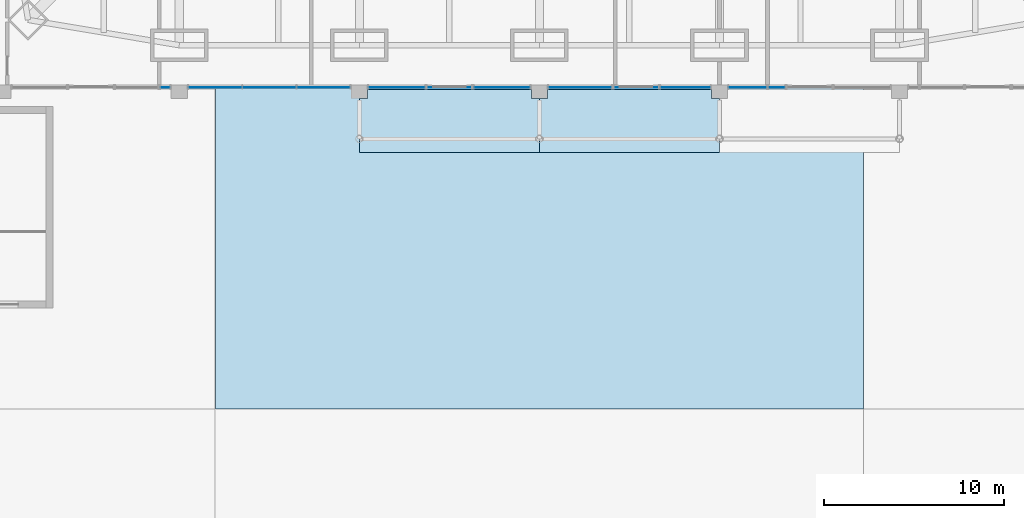
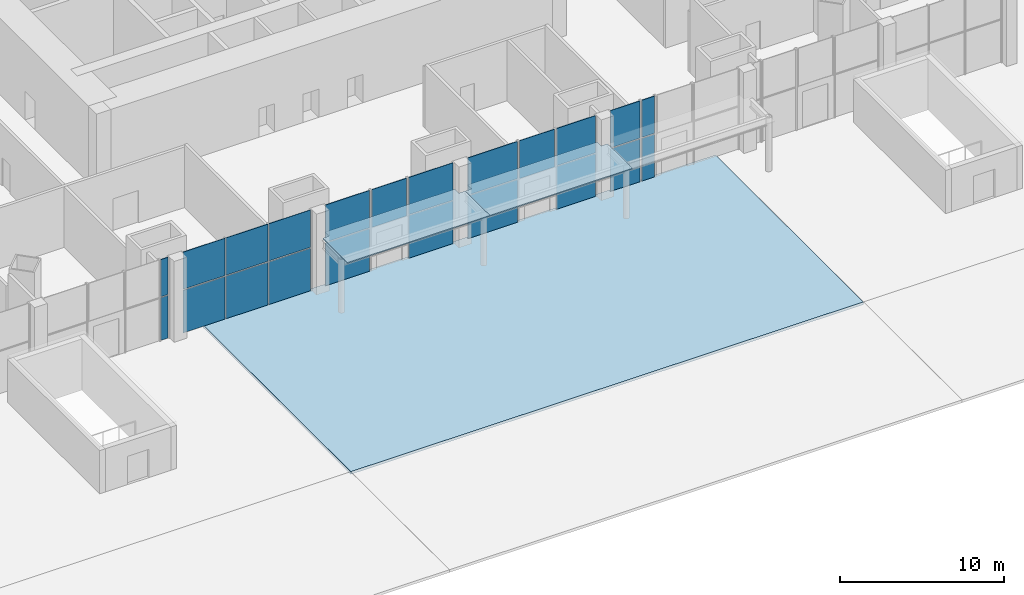
# One storey, part 17 of 31: 22 plates, 3 slabs, 10 elements without a shape of their own.
"""IFC4 building model written with IfcOpenShell, lengths in metres."""

from ifc_helpers import new_model, si_unit, direction, frame, origin, origin_2d, place, context, subcontext, project, spatial, polyline, rectangle, outline, extrude, material, layer, layer_set, type_object, element, aggregate, save


model = new_model("IFC4")

# Units and contexts
model_context = context("Model", 3, precision=1e-05, world=origin(), true_north=direction((0.0, 1.0)))
body_context = subcontext(model_context, "Body", "Model", "MODEL_VIEW")
ifc_project = project(units=[si_unit("LENGTHUNIT", "METRE"), si_unit("AREAUNIT", "SQUARE_METRE"), si_unit("VOLUMEUNIT", "CUBIC_METRE"), si_unit("PLANEANGLEUNIT", "RADIAN"), si_unit("MASSUNIT", "GRAM", prefix="KILO")], contexts=[model_context])

# Site, building, storey
site_placement = place(None, origin())
site = spatial("IfcSite", under=ifc_project, at=site_placement, CompositionType="ELEMENT")
building_placement = place(site_placement, origin())
building = spatial("IfcBuilding", under=site, at=building_placement, Name="Khuree Lantern Residences", CompositionType="ELEMENT")
storey_placement = place(building_placement, origin())
storey = spatial("IfcBuildingStorey", under=building, at=storey_placement, Name="L00", CompositionType="ELEMENT", Elevation=0.0)

# Slabs
ifc_material_1 = material(Name="Laminated glass on bronze anodised aluminium frame", Category="aluminium")
ifc_layer_1 = layer(ifc_material_1, 0.080078125)
ifc_layer_set_1 = layer_set([ifc_layer_1], Name="ENTRANCE CANOPY CN1 80")
slab_type_1 = type_object("IfcSlabType", Name="ENTRANCE CANOPY CN1 80", PredefinedType="USERDEFINED", material=ifc_layer_set_1)
slab_1_placement = place(storey_placement, frame((0.0, 0.0, 4.0)))
element("IfcSlab", 1, at=slab_1_placement, inside=storey, type_object=slab_type_1, Name="SOUTH FACE BAY 4 ENTRANCE CANOPY", ObjectType="Canopy", PredefinedType="USERDEFINED", context=body_context, shape_type="SweptSolid", body=[
    extrude(outline(polyline([(-9.550048828125, -32.25), (-0.449951171875, -32.25), (-0.449951171875, -32.75), (0.0, -32.75), (0.0, -35.75), (-10.0, -35.75), (-10.0, -32.75), (-9.550048828125, -32.75), (-9.550048828125, -32.25)])), origin(), (0.0, 0.0, 1.0), 0.080078125),
])
slab_2_placement = place(storey_placement, frame((0.0, 0.0, 4.0)))
element("IfcSlab", 2, at=slab_2_placement, inside=storey, type_object=slab_type_1, Name="SOUTH FACE BAY 5 ENTRANCE CANOPY", ObjectType="Canopy", PredefinedType="USERDEFINED", context=body_context, shape_type="SweptSolid", body=[
    extrude(outline(polyline([(0.449951171875, -32.25), (9.550048828125, -32.25), (9.550048828125, -32.75), (10.0, -32.75), (10.0, -35.75), (0.0, -35.75), (0.0, -32.75), (0.449951171875, -32.75), (0.449951171875, -32.25)])), origin(), (0.0, 0.0, 1.0), 0.080078125),
])
ifc_material_2 = material(Name="Flamed granite setts on pedestals over the deck", Category="masonry")
ifc_layer_2 = layer(ifc_material_2, 0.199951171875)
ifc_layer_set_2 = layer_set([ifc_layer_2], Name="PLAZA PAVING")
slab_type_2 = type_object("IfcSlabType", Name="PLAZA PAVING", PredefinedType="USERDEFINED", material=ifc_layer_set_2)
slab_3_placement = place(storey_placement, frame((0.0, 0.0, -0.199951171875)))
element("IfcSlab", 3, at=slab_3_placement, inside=storey, type_object=slab_type_2, Name="PLAZA PAVING BAY 1", ObjectType="PAVING", PredefinedType="USERDEFINED", context=body_context, shape_type="SweptSolid", body=[
    extrude(outline(polyline([(17.9951171875, -32.0), (17.9951171875, -50.0), (-17.9951171875, -50.0), (-17.9951171875, -32.0), (17.9951171875, -32.0)])), origin(), (0.0, 0.0, 1.0), 0.199951171875),
])

# Curtain wall, plates
ifc_material_3 = material(Name="Bronze anodised aluminium", Category="aluminium")
curtain_wall_type = type_object("IfcCurtainWallType", Name="CW-P PODIUM STOREFRONT CURTAIN WALL", PredefinedType="USERDEFINED", material=ifc_material_3)
curtain_wall_1_placement = place(storey_placement, origin())
curtain_wall_1 = element("IfcCurtainWall", 4, at=curtain_wall_1_placement, inside=storey, type_object=curtain_wall_type, Name="L00 SOUTH FACE BAY 2 RIGHT 2 STOREFRONT", ObjectType="Storefront curtain wall", PredefinedType="USERDEFINED")
ifc_material_4 = material(Name="Bronze tinted laminated triple glazing", Category="glass")
ifc_layer_3 = layer(ifc_material_4, 0.0400390625)
ifc_layer_set_3 = layer_set([ifc_layer_3], Name="STOREFRONT GLASS PANEL P9")
plate_type = type_object("IfcPlateType", Name="STOREFRONT GLASS PANEL P9", PredefinedType="CURTAIN_PANEL", material=ifc_layer_set_3)
plate_1_placement = place(storey_placement, frame((-20.780517578125, -32.14990234375, 0.0), z_axis=(0.0, 0.0, 1.0), x_axis=(1.0, 0.0, 0.0)))
plate_1 = element("IfcPlate", 5, at=plate_1_placement, type_object=plate_type, Name="L00 SOUTH FACE BAY 2 RIGHT 2 PANEL 1.1", PredefinedType="CURTAIN_PANEL", context=body_context, shape_type="SweptSolid", body=[
    extrude(rectangle(XDim=0.51123046875, YDim=0.0400390625, at=origin_2d()), origin(), (0.0, 0.0, 1.0), 3.16259765625),
])
plate_2_placement = place(storey_placement, frame((-20.780517578125, -32.14990234375, 3.2373046875), z_axis=(0.0, 0.0, 1.0), x_axis=(1.0, 0.0, 0.0)))
plate_2 = element("IfcPlate", 6, at=plate_2_placement, type_object=plate_type, Name="L00 SOUTH FACE BAY 2 RIGHT 2 PANEL 1.2", PredefinedType="CURTAIN_PANEL", context=body_context, shape_type="SweptSolid", body=[
    extrude(rectangle(XDim=0.51123046875, YDim=0.0400390625, at=origin_2d()), origin(), (0.0, 0.0, 1.0), 2.762451171875),
])
aggregate(curtain_wall_1, [plate_1, plate_2])

curtain_wall_2_placement = place(storey_placement, origin())
curtain_wall_2 = element("IfcCurtainWall", 7, at=curtain_wall_2_placement, inside=storey, type_object=curtain_wall_type, Name="L00 SOUTH FACE BAY 3 STOREFRONT", ObjectType="Storefront curtain wall", PredefinedType="USERDEFINED")
plate_3_placement = place(storey_placement, frame((-18.00830078125, -32.14990234375, 0.0), z_axis=(0.0, 0.0, 1.0), x_axis=(1.0, 0.0, 0.0)))
plate_3 = element("IfcPlate", 8, at=plate_3_placement, type_object=plate_type, Name="L00 SOUTH FACE BAY 3 PANEL 1.1", PredefinedType="CURTAIN_PANEL", context=body_context, shape_type="SweptSolid", body=[
    extrude(rectangle(XDim=2.933349609375, YDim=0.0400390625, at=origin_2d()), origin(), (0.0, 0.0, 1.0), 3.16259765625),
])
plate_4_placement = place(storey_placement, frame((-18.00830078125, -32.14990234375, 3.2373046875), z_axis=(0.0, 0.0, 1.0), x_axis=(1.0, 0.0, 0.0)))
plate_4 = element("IfcPlate", 9, at=plate_4_placement, type_object=plate_type, Name="L00 SOUTH FACE BAY 3 PANEL 1.2", PredefinedType="CURTAIN_PANEL", context=body_context, shape_type="SweptSolid", body=[
    extrude(rectangle(XDim=2.933349609375, YDim=0.0400390625, at=origin_2d()), origin(), (0.0, 0.0, 1.0), 2.762451171875),
])
plate_5_placement = place(storey_placement, frame((-15.0, -32.14990234375, 0.0), z_axis=(0.0, 0.0, 1.0), x_axis=(1.0, 0.0, 0.0)))
plate_5 = element("IfcPlate", 10, at=plate_5_placement, type_object=plate_type, Name="L00 SOUTH FACE BAY 3 PANEL 2.1", PredefinedType="CURTAIN_PANEL", context=body_context, shape_type="SweptSolid", body=[
    extrude(rectangle(XDim=2.933349609375, YDim=0.0400390625, at=origin_2d()), origin(), (0.0, 0.0, 1.0), 3.16259765625),
])
plate_6_placement = place(storey_placement, frame((-15.0, -32.14990234375, 3.2373046875), z_axis=(0.0, 0.0, 1.0), x_axis=(1.0, 0.0, 0.0)))
plate_6 = element("IfcPlate", 11, at=plate_6_placement, type_object=plate_type, Name="L00 SOUTH FACE BAY 3 PANEL 2.2", PredefinedType="CURTAIN_PANEL", context=body_context, shape_type="SweptSolid", body=[
    extrude(rectangle(XDim=2.933349609375, YDim=0.0400390625, at=origin_2d()), origin(), (0.0, 0.0, 1.0), 2.762451171875),
])
plate_7_placement = place(storey_placement, frame((-11.99169921875, -32.14990234375, 0.0), z_axis=(0.0, 0.0, 1.0), x_axis=(1.0, 0.0, 0.0)))
plate_7 = element("IfcPlate", 12, at=plate_7_placement, type_object=plate_type, Name="L00 SOUTH FACE BAY 3 PANEL 3.1", PredefinedType="CURTAIN_PANEL", context=body_context, shape_type="SweptSolid", body=[
    extrude(rectangle(XDim=2.933349609375, YDim=0.0400390625, at=origin_2d()), origin(), (0.0, 0.0, 1.0), 3.16259765625),
])
plate_8_placement = place(storey_placement, frame((-11.99169921875, -32.14990234375, 3.2373046875), z_axis=(0.0, 0.0, 1.0), x_axis=(1.0, 0.0, 0.0)))
plate_8 = element("IfcPlate", 13, at=plate_8_placement, type_object=plate_type, Name="L00 SOUTH FACE BAY 3 PANEL 3.2", PredefinedType="CURTAIN_PANEL", context=body_context, shape_type="SweptSolid", body=[
    extrude(rectangle(XDim=2.933349609375, YDim=0.0400390625, at=origin_2d()), origin(), (0.0, 0.0, 1.0), 2.762451171875),
])
aggregate(curtain_wall_2, [plate_3, plate_4, plate_5, plate_6, plate_7, plate_8])

curtain_wall_3_placement = place(storey_placement, origin())
curtain_wall_3 = element("IfcCurtainWall", 14, at=curtain_wall_3_placement, inside=storey, type_object=curtain_wall_type, Name="L00 SOUTH FACE BAY 4 LEFT STOREFRONT", ObjectType="Storefront curtain wall", PredefinedType="USERDEFINED")
plate_9_placement = place(storey_placement, frame((-7.925048828125, -32.14990234375, 0.0), z_axis=(0.0, 0.0, 1.0), x_axis=(1.0, 0.0, 0.0)))
plate_9 = element("IfcPlate", 15, at=plate_9_placement, type_object=plate_type, Name="L00 SOUTH FACE BAY 4 LEFT PANEL 1.1", PredefinedType="CURTAIN_PANEL", context=body_context, shape_type="SweptSolid", body=[
    extrude(rectangle(XDim=3.10009765625, YDim=0.0400390625, at=origin_2d()), origin(), (0.0, 0.0, 1.0), 3.16259765625),
])
plate_10_placement = place(storey_placement, frame((-7.925048828125, -32.14990234375, 3.2373046875), z_axis=(0.0, 0.0, 1.0), x_axis=(1.0, 0.0, 0.0)))
plate_10 = element("IfcPlate", 16, at=plate_10_placement, type_object=plate_type, Name="L00 SOUTH FACE BAY 4 LEFT PANEL 1.2", PredefinedType="CURTAIN_PANEL", context=body_context, shape_type="SweptSolid", body=[
    extrude(rectangle(XDim=3.10009765625, YDim=0.0400390625, at=origin_2d()), origin(), (0.0, 0.0, 1.0), 2.762451171875),
])
aggregate(curtain_wall_3, [plate_9, plate_10])

curtain_wall_4_placement = place(storey_placement, origin())
curtain_wall_4 = element("IfcCurtainWall", 17, at=curtain_wall_4_placement, inside=storey, type_object=curtain_wall_type, Name="L00 SOUTH FACE BAY 4 RIGHT STOREFRONT", ObjectType="Storefront curtain wall", PredefinedType="USERDEFINED")
plate_11_placement = place(storey_placement, frame((-2.074951171875, -32.14990234375, 0.0), z_axis=(0.0, 0.0, 1.0), x_axis=(1.0, 0.0, 0.0)))
plate_11 = element("IfcPlate", 18, at=plate_11_placement, type_object=plate_type, Name="L00 SOUTH FACE BAY 4 RIGHT PANEL 1.1", PredefinedType="CURTAIN_PANEL", context=body_context, shape_type="SweptSolid", body=[
    extrude(rectangle(XDim=3.10009765625, YDim=0.0400390625, at=origin_2d()), origin(), (0.0, 0.0, 1.0), 3.16259765625),
])
plate_12_placement = place(storey_placement, frame((-2.074951171875, -32.14990234375, 3.2373046875), z_axis=(0.0, 0.0, 1.0), x_axis=(1.0, 0.0, 0.0)))
plate_12 = element("IfcPlate", 19, at=plate_12_placement, type_object=plate_type, Name="L00 SOUTH FACE BAY 4 RIGHT PANEL 1.2", PredefinedType="CURTAIN_PANEL", context=body_context, shape_type="SweptSolid", body=[
    extrude(rectangle(XDim=3.10009765625, YDim=0.0400390625, at=origin_2d()), origin(), (0.0, 0.0, 1.0), 2.762451171875),
])
aggregate(curtain_wall_4, [plate_11, plate_12])

# Curtain wall, plate
curtain_wall_5_placement = place(storey_placement, origin())
curtain_wall_5 = element("IfcCurtainWall", 20, at=curtain_wall_5_placement, inside=storey, type_object=curtain_wall_type, Name="L00 SOUTH FACE BAY 4 CLERESTORY STOREFRONT", ObjectType="Storefront curtain wall", PredefinedType="USERDEFINED")
plate_13_placement = place(storey_placement, frame((-5.0, -32.14990234375, 3.2001953125), z_axis=(0.0, 0.0, 1.0), x_axis=(1.0, 0.0, 0.0)))
plate_13 = element("IfcPlate", 21, at=plate_13_placement, type_object=plate_type, Name="L00 SOUTH FACE BAY 4 CLERESTORY PANEL 1.1", PredefinedType="CURTAIN_PANEL", context=body_context, shape_type="SweptSolid", body=[
    extrude(rectangle(XDim=2.449951171875, YDim=0.0400390625, at=origin_2d()), origin(), (0.0, 0.0, 1.0), 2.800048828125),
])
aggregate(curtain_wall_5, [plate_13])

# Curtain wall, plates
curtain_wall_6_placement = place(storey_placement, origin())
curtain_wall_6 = element("IfcCurtainWall", 22, at=curtain_wall_6_placement, inside=storey, type_object=curtain_wall_type, Name="L00 SOUTH FACE BAY 5 LEFT STOREFRONT", ObjectType="Storefront curtain wall", PredefinedType="USERDEFINED")
plate_14_placement = place(storey_placement, frame((2.260986328125, -32.14990234375, 0.0), z_axis=(0.0, 0.0, 1.0), x_axis=(1.0, 0.0, 0.0)))
plate_14 = element("IfcPlate", 23, at=plate_14_placement, type_object=plate_type, Name="L00 SOUTH FACE BAY 5 LEFT PANEL 1.1", PredefinedType="CURTAIN_PANEL", context=body_context, shape_type="SweptSolid", body=[
    extrude(rectangle(XDim=3.471923828125, YDim=0.0400390625, at=origin_2d()), origin(), (0.0, 0.0, 1.0), 3.16259765625),
])
plate_15_placement = place(storey_placement, frame((2.260986328125, -32.14990234375, 3.2373046875), z_axis=(0.0, 0.0, 1.0), x_axis=(1.0, 0.0, 0.0)))
plate_15 = element("IfcPlate", 24, at=plate_15_placement, type_object=plate_type, Name="L00 SOUTH FACE BAY 5 LEFT PANEL 1.2", PredefinedType="CURTAIN_PANEL", context=body_context, shape_type="SweptSolid", body=[
    extrude(rectangle(XDim=3.471923828125, YDim=0.0400390625, at=origin_2d()), origin(), (0.0, 0.0, 1.0), 2.762451171875),
])
aggregate(curtain_wall_6, [plate_14, plate_15])

curtain_wall_7_placement = place(storey_placement, origin())
curtain_wall_7 = element("IfcCurtainWall", 25, at=curtain_wall_7_placement, inside=storey, type_object=curtain_wall_type, Name="L00 SOUTH FACE BAY 5 RIGHT STOREFRONT", ObjectType="Storefront curtain wall", PredefinedType="USERDEFINED")
plate_16_placement = place(storey_placement, frame((8.111083984375, -32.14990234375, 0.0), z_axis=(0.0, 0.0, 1.0), x_axis=(1.0, 0.0, 0.0)))
plate_16 = element("IfcPlate", 26, at=plate_16_placement, type_object=plate_type, Name="L00 SOUTH FACE BAY 5 RIGHT PANEL 1.1", PredefinedType="CURTAIN_PANEL", context=body_context, shape_type="SweptSolid", body=[
    extrude(rectangle(XDim=2.72802734375, YDim=0.0400390625, at=origin_2d()), origin(), (0.0, 0.0, 1.0), 3.16259765625),
])
plate_17_placement = place(storey_placement, frame((8.111083984375, -32.14990234375, 3.2373046875), z_axis=(0.0, 0.0, 1.0), x_axis=(1.0, 0.0, 0.0)))
plate_17 = element("IfcPlate", 27, at=plate_17_placement, type_object=plate_type, Name="L00 SOUTH FACE BAY 5 RIGHT PANEL 1.2", PredefinedType="CURTAIN_PANEL", context=body_context, shape_type="SweptSolid", body=[
    extrude(rectangle(XDim=2.72802734375, YDim=0.0400390625, at=origin_2d()), origin(), (0.0, 0.0, 1.0), 2.762451171875),
])
aggregate(curtain_wall_7, [plate_16, plate_17])

# Curtain wall, plate
curtain_wall_8_placement = place(storey_placement, origin())
curtain_wall_8 = element("IfcCurtainWall", 28, at=curtain_wall_8_placement, inside=storey, type_object=curtain_wall_type, Name="L00 SOUTH FACE BAY 5 CLERESTORY STOREFRONT", ObjectType="Storefront curtain wall", PredefinedType="USERDEFINED")
plate_18_placement = place(storey_placement, frame((5.3720703125, -32.14990234375, 3.2001953125), z_axis=(0.0, 0.0, 1.0), x_axis=(1.0, 0.0, 0.0)))
plate_18 = element("IfcPlate", 29, at=plate_18_placement, type_object=plate_type, Name="L00 SOUTH FACE BAY 5 CLERESTORY PANEL 1.1", PredefinedType="CURTAIN_PANEL", context=body_context, shape_type="SweptSolid", body=[
    extrude(rectangle(XDim=2.449951171875, YDim=0.0400390625, at=origin_2d()), origin(), (0.0, 0.0, 1.0), 2.800048828125),
])
aggregate(curtain_wall_8, [plate_18])

# Curtain wall, plates
curtain_wall_9_placement = place(storey_placement, origin())
curtain_wall_9 = element("IfcCurtainWall", 30, at=curtain_wall_9_placement, inside=storey, type_object=curtain_wall_type, Name="L00 SOUTH FACE BAY 6 LEFT 1 STOREFRONT", ObjectType="Storefront curtain wall", PredefinedType="USERDEFINED")
plate_19_placement = place(storey_placement, frame((11.558349609375, -32.14990234375, 0.0), z_axis=(0.0, 0.0, 1.0), x_axis=(1.0, 0.0, 0.0)))
plate_19 = element("IfcPlate", 31, at=plate_19_placement, type_object=plate_type, Name="L00 SOUTH FACE BAY 6 LEFT 1 PANEL 1.1", PredefinedType="CURTAIN_PANEL", context=body_context, shape_type="SweptSolid", body=[
    extrude(rectangle(XDim=2.066650390625, YDim=0.0400390625, at=origin_2d()), origin(), (0.0, 0.0, 1.0), 3.16259765625),
])
plate_20_placement = place(storey_placement, frame((11.558349609375, -32.14990234375, 3.2373046875), z_axis=(0.0, 0.0, 1.0), x_axis=(1.0, 0.0, 0.0)))
plate_20 = element("IfcPlate", 32, at=plate_20_placement, type_object=plate_type, Name="L00 SOUTH FACE BAY 6 LEFT 1 PANEL 1.2", PredefinedType="CURTAIN_PANEL", context=body_context, shape_type="SweptSolid", body=[
    extrude(rectangle(XDim=2.066650390625, YDim=0.0400390625, at=origin_2d()), origin(), (0.0, 0.0, 1.0), 2.762451171875),
])
aggregate(curtain_wall_9, [plate_19, plate_20])

curtain_wall_10_placement = place(storey_placement, origin())
curtain_wall_10 = element("IfcCurtainWall", 33, at=curtain_wall_10_placement, inside=storey, type_object=curtain_wall_type, Name="L00 SOUTH FACE BAY 6 LEFT 2 STOREFRONT", ObjectType="Storefront curtain wall", PredefinedType="USERDEFINED")
plate_21_placement = place(storey_placement, frame((13.183349609375, -32.14990234375, 0.0), z_axis=(0.0, 0.0, 1.0), x_axis=(1.0, 0.0, 0.0)))
plate_21 = element("IfcPlate", 34, at=plate_21_placement, type_object=plate_type, Name="L00 SOUTH FACE BAY 6 LEFT 2 PANEL 1.1", PredefinedType="CURTAIN_PANEL", context=body_context, shape_type="SweptSolid", body=[
    extrude(rectangle(XDim=0.88330078125, YDim=0.0400390625, at=origin_2d()), origin(), (0.0, 0.0, 1.0), 3.16259765625),
])
plate_22_placement = place(storey_placement, frame((13.183349609375, -32.14990234375, 3.2373046875), z_axis=(0.0, 0.0, 1.0), x_axis=(1.0, 0.0, 0.0)))
plate_22 = element("IfcPlate", 35, at=plate_22_placement, type_object=plate_type, Name="L00 SOUTH FACE BAY 6 LEFT 2 PANEL 1.2", PredefinedType="CURTAIN_PANEL", context=body_context, shape_type="SweptSolid", body=[
    extrude(rectangle(XDim=0.88330078125, YDim=0.0400390625, at=origin_2d()), origin(), (0.0, 0.0, 1.0), 2.762451171875),
])
aggregate(curtain_wall_10, [plate_21, plate_22])

save(model, "model.ifc")
